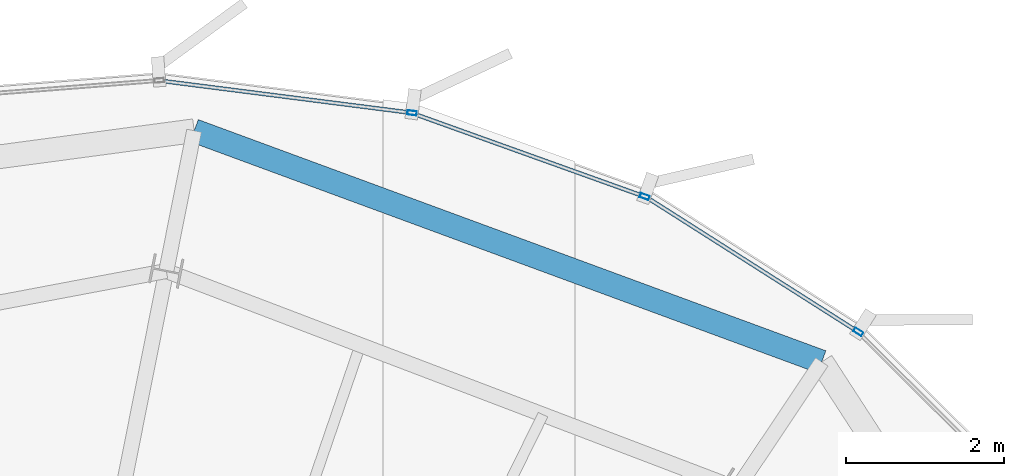
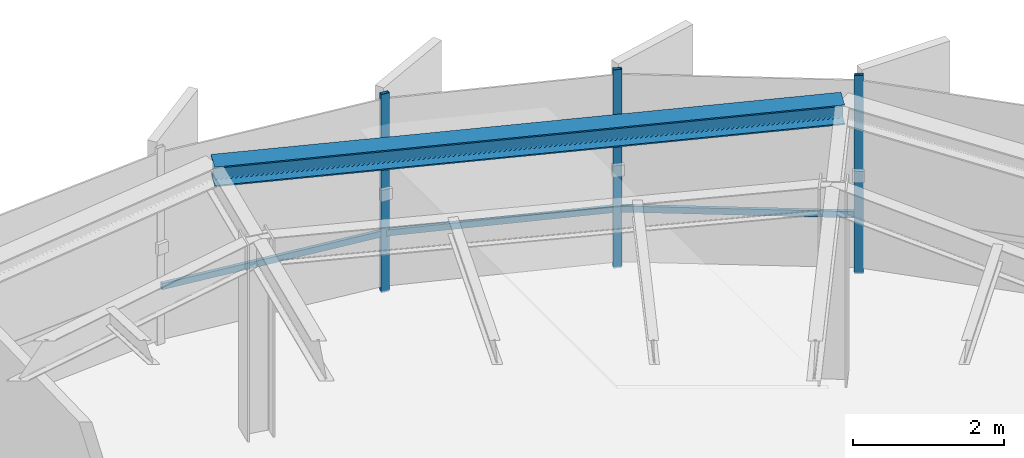
# One storey, part 22 of 31: 6 members, 1 beam, 2 elements without a shape of their own.
"""IFC4 building model written with IfcOpenShell, lengths in metres."""

from ifc_helpers import new_model, si_unit, direction, frame, origin, origin_2d, place, context, subcontext, project, spatial, hollow_rectangle, i_section, extrude, source, transform, mapped, material, layer, layer_set, material_profile, profile_set, type_object, element, aggregate, save


model = new_model("IFC4")

# Units and contexts
model_context = context("Model", 3, precision=1e-05, world=origin(), true_north=direction((0.0, 1.0)))
body_context = subcontext(model_context, "Body", "Model", "MODEL_VIEW")
ifc_project = project(units=[si_unit("LENGTHUNIT", "METRE"), si_unit("AREAUNIT", "SQUARE_METRE"), si_unit("VOLUMEUNIT", "CUBIC_METRE"), si_unit("PLANEANGLEUNIT", "RADIAN"), si_unit("MASSUNIT", "GRAM", prefix="KILO"), si_unit("THERMODYNAMICTEMPERATUREUNIT", "KELVIN")], contexts=[model_context])

# Site, building, storey
site_placement = place(None, origin())
site = spatial("IfcSite", under=ifc_project, at=site_placement, CompositionType="ELEMENT")
building_placement = place(site_placement, origin())
building = spatial("IfcBuilding", under=site, at=building_placement, Name="Kethvar Cultural Tower", CompositionType="ELEMENT")
storey_placement = place(building_placement, frame((0.0, 0.0, 290.5)))
storey = spatial("IfcBuildingStorey", under=building, at=storey_placement, Name="L77", CompositionType="ELEMENT", Elevation=290.5)

# Beam
ifc_material_1 = material(Name="Steel S355J2", Category="steel")
ifc_material_profile_1 = material_profile(ifc_material_1, i_section(OverallWidth=0.300048828125, OverallDepth=0.320068359375, WebThickness=0.011474609375, FlangeThickness=0.0205078125, FilletRadius=0.027099609375, at=origin_2d()), Name="Steel S355J2 — HEB320")
ifc_profile_set_1 = profile_set([ifc_material_profile_1], Name="Steel S355J2 — HEB320")
beam_type = type_object("IfcBeamType", Name="BM-SP320", PredefinedType="SPANDREL", material=ifc_profile_set_1)
shared_shape_1 = source(origin(), body_context, "Body", "SweptSolid", [
    extrude(i_section(OverallWidth=0.300048828125, OverallDepth=0.320068359375, WebThickness=0.011474609375, FlangeThickness=0.0205078125, FilletRadius=0.027099609375, at=origin_2d()), origin(), (0.0, 0.0, 1.0), 8.47119140625),
])
beam_placement = place(storey_placement, frame((58.94775390625, 45.980224609375, 3.048095703125), z_axis=(-0.938347053133, 0.345694674355, 0.0), x_axis=(-0.345694674355, -0.938347053133, 0.0)))
element("IfcBeam", 1, at=beam_placement, inside=storey, type_object=beam_type, Name="L77 Perimeter Spandrel Beam SP-03", PredefinedType="SPANDREL", context=body_context, shape_type="MappedRepresentation", body=[
    mapped(shared_shape_1, transform((0.0, 0.0, 0.0), scale=1.0)),
])

# Curtain wall, members
ifc_material_2 = material(Name="Aluminium 6063-T6", Category="aluminium")
ifc_layer = layer(ifc_material_2, 0.179931640625, Name="Aluminium 6063-T6", Category="aluminium")
ifc_layer_set = layer_set([ifc_layer], Name="Aluminium 6063-T6 (180 mm)")
curtain_wall_type = type_object("IfcCurtainWallType", Name="CW-SYS-05-Z56", PredefinedType="NOTDEFINED", material=ifc_layer_set)
curtain_wall_1_placement = place(storey_placement, origin())
curtain_wall_1 = element("IfcCurtainWall", 2, at=curtain_wall_1_placement, inside=storey, type_object=curtain_wall_type, Name="L77 Curtain Wall Run 01", PredefinedType="NOTDEFINED")
ifc_material_profile_2 = material_profile(ifc_material_2, hollow_rectangle(XDim=0.054931640625, YDim=0.1201171875, WallThickness=0.00390625, at=origin_2d()), Name="Aluminium 6063-T6 — RHS120x55x4")
ifc_profile_set_2 = profile_set([ifc_material_profile_2], Name="Aluminium 6063-T6 — RHS120x55x4")
member_type_1 = type_object("IfcMemberType", Name="CW-SYS-05-Z56-MUL", PredefinedType="MULLION", material=ifc_profile_set_2)
shared_shape_2 = source(origin(), body_context, "Body", "SweptSolid", [
    extrude(hollow_rectangle(XDim=0.054931640625, YDim=0.1201171875, WallThickness=0.00390625, at=origin_2d()), origin(), (0.0, 0.0, 1.0), 3.2099609375),
])
member_1_placement = place(storey_placement, frame((56.704833984375, 48.073974609375, 0.0), z_axis=(0.0, 0.0, 1.0), x_axis=(-0.337768874252, -0.941229083479, 0.0)))
member_1 = element("IfcMember", 3, at=member_1_placement, type_object=member_type_1, Name="CW-L77-R01 Mullion 1", PredefinedType="MULLION", context=body_context, shape_type="MappedRepresentation", body=[
    mapped(shared_shape_2, transform((0.0, 0.0, 0.0), scale=1.0)),
])
member_2_placement = place(storey_placement, frame((53.757568359375, 49.134033203125, 0.0), z_axis=(0.0, 0.0, 1.0), x_axis=(-0.126787614469, -0.991929887047, 0.0)))
member_2 = element("IfcMember", 4, at=member_2_placement, type_object=member_type_1, Name="CW-L77-R01 Mullion 2", PredefinedType="MULLION", context=body_context, shape_type="MappedRepresentation", body=[
    mapped(shared_shape_2, transform((0.0, 0.0, 0.0), scale=1.0)),
])

# Curtain wall, member
curtain_wall_2_placement = place(storey_placement, origin())
curtain_wall_2 = element("IfcCurtainWall", 5, at=curtain_wall_2_placement, inside=storey, type_object=curtain_wall_type, Name="L77 Curtain Wall Run 06", PredefinedType="NOTDEFINED")
member_3_placement = place(storey_placement, frame((59.409912109375, 46.35986328125, 0.0), z_axis=(0.0, 0.0, 1.0), x_axis=(-0.536695952571, -0.843775713382, 0.0)))
member_3 = element("IfcMember", 6, at=member_3_placement, type_object=member_type_1, Name="CW-L77-R06 Mullion 6", PredefinedType="MULLION", context=body_context, shape_type="MappedRepresentation", body=[
    mapped(shared_shape_2, transform((0.0, 0.0, 0.0), scale=1.0)),
])

# Member
ifc_material_profile_3 = material_profile(ifc_material_2, hollow_rectangle(XDim=0.050048828125, YDim=0.10009765625, WallThickness=0.00390625, at=origin_2d()), Name="Aluminium 6063-T6 — RHS100x50x4")
ifc_profile_set_3 = profile_set([ifc_material_profile_3], Name="Aluminium 6063-T6 — RHS100x50x4")
member_type_2 = type_object("IfcMemberType", Name="CW-SYS-05-Z56-TRN", PredefinedType="USERDEFINED", material=ifc_profile_set_3)
shared_shape_3 = source(origin(), body_context, "Body", "SweptSolid", [
    extrude(hollow_rectangle(XDim=0.050048828125, YDim=0.10009765625, WallThickness=0.00390625, at=origin_2d()), origin(), (0.0, 0.0, 1.0), 3.110595703125),
])
member_4_placement = place(storey_placement, frame((56.701416015625, 48.0751953125, 0.949951171875), z_axis=(-0.941240100845, 0.337738171609, 0.0), x_axis=(-0.337738171609, -0.941240100845, 0.0)))
member_4 = element("IfcMember", 7, at=member_4_placement, type_object=member_type_2, Name="CW-L77-R01 Transom 1", ObjectType="TRANSOM", PredefinedType="USERDEFINED", context=body_context, shape_type="MappedRepresentation", body=[
    mapped(shared_shape_3, transform((0.0, 0.0, 0.0), scale=1.0)),
])

shared_shape_4 = source(origin(), body_context, "Body", "SweptSolid", [
    extrude(hollow_rectangle(XDim=0.050048828125, YDim=0.10009765625, WallThickness=0.00390625, at=origin_2d()), origin(), (0.0, 0.0, 1.0), 3.167724609375),
])
member_5_placement = place(storey_placement, frame((53.71826171875, 49.13916015625, 0.949951171875), z_axis=(-0.9919301991, 0.126785173078, 0.0), x_axis=(-0.126785173078, -0.9919301991, 0.0)))
member_5 = element("IfcMember", 8, at=member_5_placement, type_object=member_type_2, Name="CW-L77-R01 Transom 2", ObjectType="TRANSOM", PredefinedType="USERDEFINED", context=body_context, shape_type="MappedRepresentation", body=[
    mapped(shared_shape_4, transform((0.0, 0.0, 0.0), scale=1.0)),
])

aggregate(curtain_wall_1, [member_1, member_2, member_4, member_5])

shared_shape_5 = source(origin(), body_context, "Body", "SweptSolid", [
    extrude(hollow_rectangle(XDim=0.050048828125, YDim=0.10009765625, WallThickness=0.00390625, at=origin_2d()), origin(), (0.0, 0.0, 1.0), 3.1103515625),
])
member_6_placement = place(storey_placement, frame((59.37646484375, 46.381103515625, 0.949951171875), z_axis=(-0.84380043836, 0.536657078797, 0.0), x_axis=(-0.536657078797, -0.84380043836, 0.0)))
member_6 = element("IfcMember", 9, at=member_6_placement, type_object=member_type_2, Name="CW-L77-R06 Transom 6", ObjectType="TRANSOM", PredefinedType="USERDEFINED", context=body_context, shape_type="MappedRepresentation", body=[
    mapped(shared_shape_5, transform((0.0, 0.0, 0.0), scale=1.0)),
])

aggregate(curtain_wall_2, [member_3, member_6])

save(model, "model.ifc")
